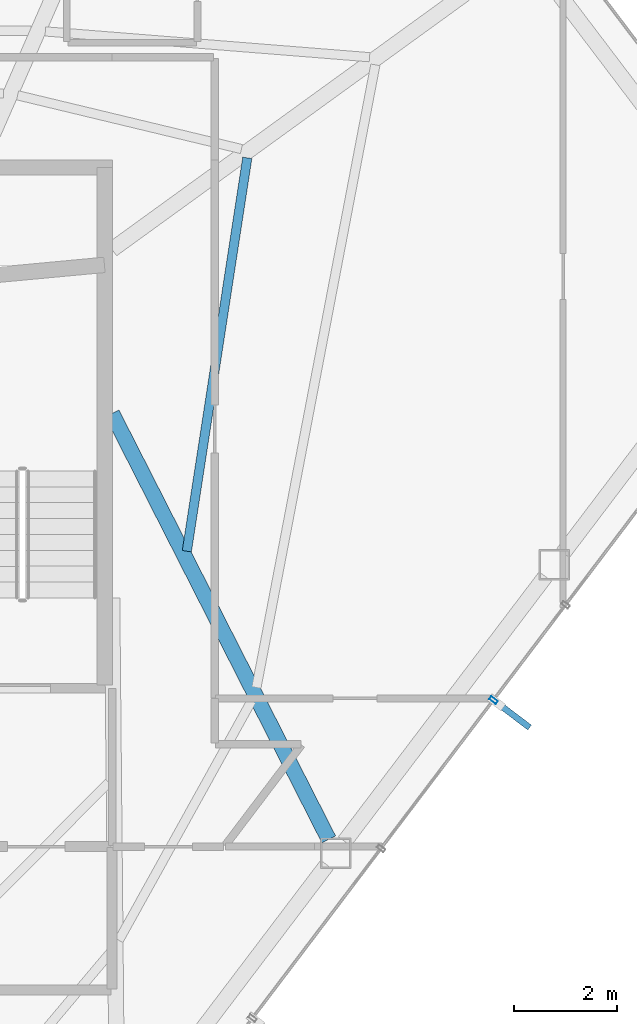
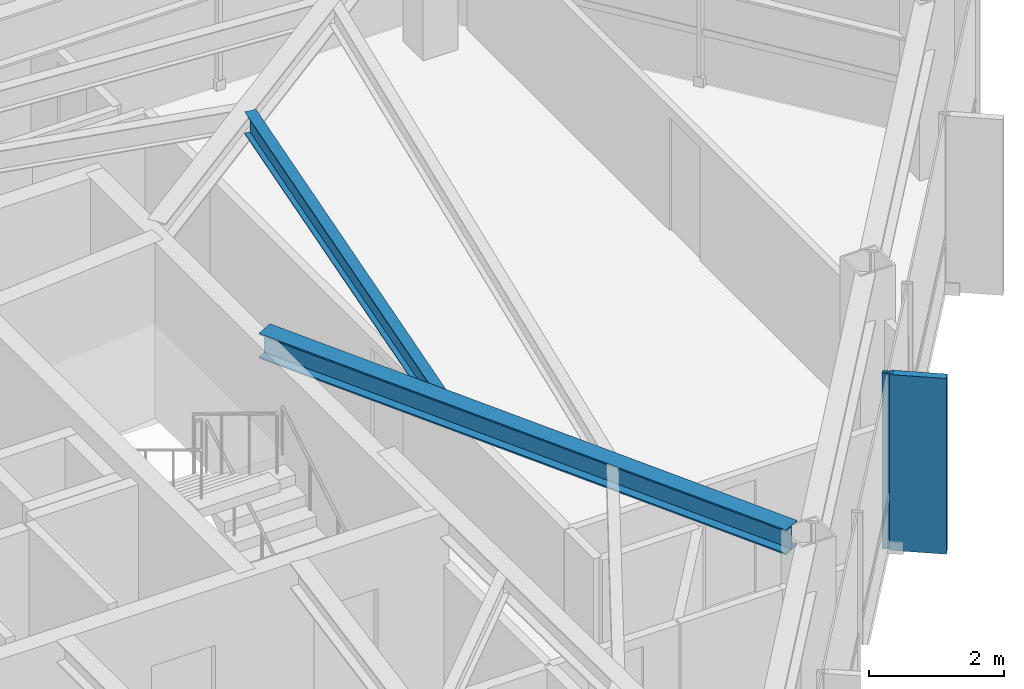
# One storey, part 19 of 28: 2 beams, 2 members, 1 element without a shape of its own.
"""IFC4 building model written with IfcOpenShell, lengths in metres."""

from ifc_helpers import new_model, si_unit, direction, frame, origin, origin_2d, place, context, subcontext, project, spatial, rectangle, hollow_rectangle, i_section, extrude, material, layer, layer_set, material_profile, profile_set, type_object, element, aggregate, save


model = new_model("IFC4")

# Units and contexts
model_context = context("Model", 3, precision=1e-05, world=origin(), true_north=direction((0.0, 1.0)))
body_context = subcontext(model_context, "Body", "Model", "MODEL_VIEW")
ifc_project = project(units=[si_unit("LENGTHUNIT", "METRE"), si_unit("AREAUNIT", "SQUARE_METRE"), si_unit("VOLUMEUNIT", "CUBIC_METRE"), si_unit("PLANEANGLEUNIT", "RADIAN"), si_unit("MASSUNIT", "GRAM", prefix="KILO")], contexts=[model_context])

# Site, building, storey
site_placement = place(None, origin())
site = spatial("IfcSite", under=ifc_project, at=site_placement, CompositionType="ELEMENT")
building_placement = place(site_placement, origin())
building = spatial("IfcBuilding", under=site, at=building_placement, Name="Zarrinselat Tower", CompositionType="ELEMENT")
storey_placement = place(building_placement, frame((0.0, 0.0, 218.9599609375)))
storey = spatial("IfcBuildingStorey", under=building, at=storey_placement, Name="L54", CompositionType="ELEMENT", Elevation=218.9599609375)

# Beams
ifc_material_1 = material(Name="Steel S355J2", Category="steel")
ifc_material_profile_1 = material_profile(ifc_material_1, i_section(OverallWidth=0.300048828125, OverallDepth=0.449951171875, WebThickness=0.013916015625, FlangeThickness=0.02587890625, at=origin_2d()), Name="HEB 450")
ifc_profile_set_1 = profile_set([ifc_material_profile_1], Name="Steel S355J2")
beam_type_1 = type_object("IfcBeamType", Name="BM-HEB450", PredefinedType="BEAM", material=ifc_profile_set_1)
beam_1_placement = place(storey_placement, frame((48.35009765625, 38.60009765625, 2.955078125), z_axis=(0.453404321332, -0.891304954209, 0.0), x_axis=(0.891304954209, 0.453404321332, 0.0)))
element("IfcBeam", 1, at=beam_1_placement, inside=storey, type_object=beam_type_1, Name="L54 Radial Primary Girder RG13", PredefinedType="BEAM", context=body_context, shape_type="SweptSolid", body=[
    extrude(i_section(OverallWidth=0.300048828125, OverallDepth=0.449951171875, WebThickness=0.013916015625, FlangeThickness=0.02587890625, at=origin_2d()), origin(), (0.0, 0.0, 1.0), 9.322265625),
])
ifc_material_2 = material(Name="Steel S355J2", Category="steel")
ifc_material_profile_2 = material_profile(ifc_material_2, i_section(OverallWidth=0.179931640625, OverallDepth=0.39990234375, WebThickness=0.008544921875, FlangeThickness=0.013427734375, at=origin_2d()), Name="IPE 400")
ifc_profile_set_2 = profile_set([ifc_material_profile_2], Name="Steel S355J2")
beam_type_2 = type_object("IfcBeamType", Name="BM-IPE400", PredefinedType="JOIST", material=ifc_profile_set_2)
beam_2_placement = place(storey_placement, frame((49.808349609375, 35.913330078125, 2.97998046875), z_axis=(0.151920153408, 0.988392769595, 0.0), x_axis=(-0.988392769595, 0.151920153408, 0.0)))
element("IfcBeam", 2, at=beam_2_placement, inside=storey, type_object=beam_type_2, Name="L54 Composite Floor Joist 5-2", PredefinedType="JOIST", context=body_context, shape_type="SweptSolid", body=[
    extrude(i_section(OverallWidth=0.179931640625, OverallDepth=0.39990234375, WebThickness=0.008544921875, FlangeThickness=0.013427734375, at=origin_2d()), origin(), (0.0, 0.0, 1.0), 7.76513671875),
])

# Curtain wall, members
ifc_material_3 = material(Name="Extruded Aluminium Alloy EN AW-6063 T6", Category="aluminium")
ifc_layer = layer(ifc_material_3, 0.169921875)
ifc_layer_set = layer_set([ifc_layer], Name="Extruded Aluminium Alloy EN AW-6063 T6")
curtain_wall_type = type_object("IfcCurtainWallType", Name="CWS-RES", PredefinedType="NOTDEFINED", material=ifc_layer_set)
curtain_wall_placement = place(storey_placement, origin())
curtain_wall = element("IfcCurtainWall", 3, at=curtain_wall_placement, inside=storey, type_object=curtain_wall_type, Name="L54 Unitised Curtain Wall CW-L54-E05", PredefinedType="NOTDEFINED")
ifc_material_4 = material(Name="Extruded Aluminium Alloy EN AW-6063 T6", Category="aluminium")
ifc_material_profile_3 = material_profile(ifc_material_4, hollow_rectangle(XDim=0.070068359375, YDim=0.159912109375, WallThickness=0.00390625, at=origin_2d()), Name="RHS 160x70x4")
ifc_profile_set_3 = profile_set([ifc_material_profile_3], Name="Extruded Aluminium Alloy EN AW-6063 T6")
member_type_1 = type_object("IfcMemberType", Name="MEM-CW-MUL2", PredefinedType="MULLION", material=ifc_profile_set_3)
member_1_placement = place(storey_placement, frame((55.791015625, 33.00732421875, 0.0), z_axis=(0.0, 0.0, 1.0), x_axis=(0.603859212041, 0.797090993572, 0.0)))
member_1 = element("IfcMember", 4, at=member_1_placement, type_object=member_type_1, Name="CW-L54-E05 Mullion 5", PredefinedType="MULLION", context=body_context, shape_type="SweptSolid", body=[
    extrude(hollow_rectangle(XDim=0.070068359375, YDim=0.159912109375, WallThickness=0.00390625, at=origin_2d()), origin(), (0.0, 0.0, 1.0), 3.179931640625),
])
ifc_material_5 = material(Name="Honed Cream Travertine Stone", Category="masonry")
ifc_material_profile_4 = material_profile(ifc_material_5, rectangle(XDim=0.1201171875, YDim=0.85009765625, at=origin_2d()), Name="FIN 850x120")
ifc_profile_set_4 = profile_set([ifc_material_profile_4], Name="Honed Cream Travertine Stone")
member_type_2 = type_object("IfcMemberType", Name="MEM-STONE-FIN", PredefinedType="USERDEFINED", material=ifc_profile_set_4)
member_2_placement = place(storey_placement, frame((56.15771484375, 32.7294921875, 0.0), z_axis=(0.0, 0.0, 1.0), x_axis=(-0.603859212041, -0.797090993572, 0.0)))
member_2 = element("IfcMember", 5, at=member_2_placement, type_object=member_type_2, Name="L54 Stone Shading Fin CW-L54-E05-05", ObjectType="FIN", PredefinedType="USERDEFINED", context=body_context, shape_type="SweptSolid", body=[
    extrude(rectangle(XDim=0.1201171875, YDim=0.85009765625, at=origin_2d()), origin(), (0.0, 0.0, 1.0), 3.179931640625),
])
aggregate(curtain_wall, [member_1, member_2])

save(model, "model.ifc")
